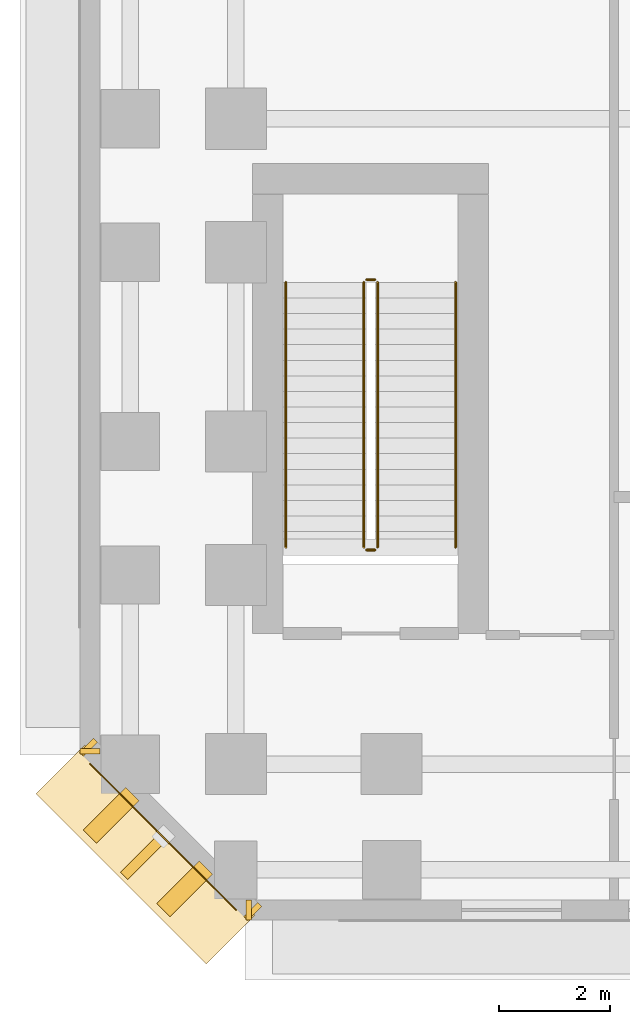
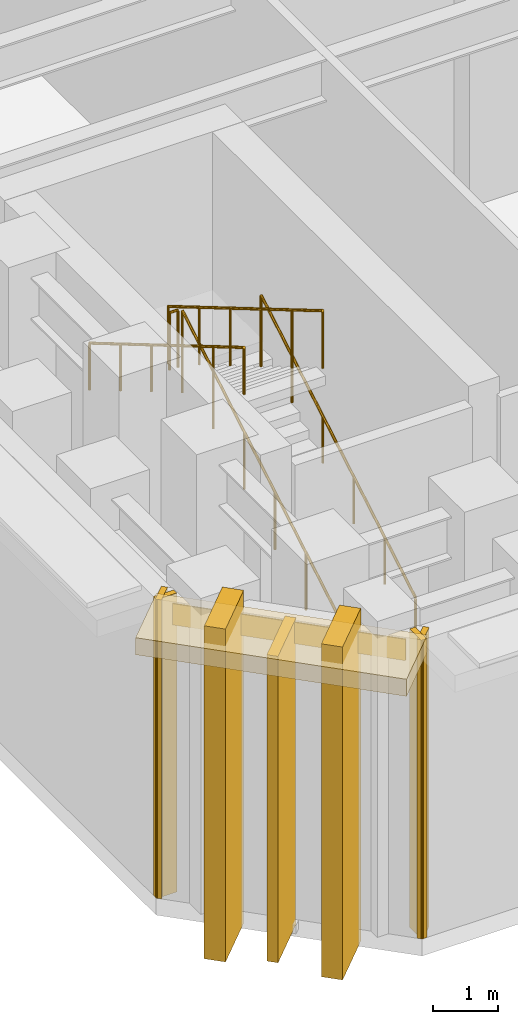
# One storey, part 11 of 18: 8 coverings, 6 railings, 1 shading device.
"""IFC4 building model written with IfcOpenShell, lengths in metres."""

from ifc_helpers import new_model, si_unit, direction, frame, origin, origin_2d, place, context, subcontext, project, spatial, rectangle, circle, extrude, material, layer, layer_set, material_profile, profile_set, type_object, element, save


model = new_model("IFC4")

# Units and contexts
model_context = context("Model", 3, precision=1e-05, world=origin(), true_north=direction((0.0, 1.0)))
body_context = subcontext(model_context, "Body", "Model", "MODEL_VIEW")
ifc_project = project(units=[si_unit("LENGTHUNIT", "METRE"), si_unit("AREAUNIT", "SQUARE_METRE"), si_unit("VOLUMEUNIT", "CUBIC_METRE"), si_unit("PLANEANGLEUNIT", "RADIAN"), si_unit("MASSUNIT", "GRAM", prefix="KILO")], contexts=[model_context])

# Site, building, storey
site_placement = place(None, origin())
site = spatial("IfcSite", under=ifc_project, at=site_placement, CompositionType="ELEMENT")
building_placement = place(site_placement, origin())
building = spatial("IfcBuilding", under=site, at=building_placement, Name="Kefirva Bronze Tower", CompositionType="ELEMENT")
storey_placement = place(building_placement, origin())
storey = spatial("IfcBuildingStorey", under=building, at=storey_placement, Name="L00", CompositionType="ELEMENT", Elevation=0.0)

# Coverings
ifc_material_1 = material(Name="Bronze anodised aluminium", Category="aluminium")
ifc_layer_1 = layer(ifc_material_1, 0.02001953125, Name="Bronze anodised aluminium")
ifc_layer_set_1 = layer_set([ifc_layer_1], Name="Bronze anodised aluminium")
covering_type_1 = type_object("IfcCoveringType", Name="Anodised Bronze Spandrel Cladding 20mm", PredefinedType="CLADDING", material=ifc_layer_set_1)
for number, where, z_axis, x_axis, name in (
    (1, (1.034912109375, -1.820068359375, 0.0), (0.0, 0.0, 1.0), (1.0, 0.0, 0.0), "L00 Facade Joint Closure Panel 1S"),
    (2, (-1.820068359375, 1.034912109375, 0.0), (0.0, 0.0, 1.0), (0.0, -1.0, 0.0), "L00 Facade Joint Closure Panel 11E"),
):
    element("IfcCovering", number, at=place(storey_placement, frame(where, z_axis=z_axis, x_axis=x_axis)), inside=storey, type_object=covering_type_1, Name=name, PredefinedType="CLADDING", context=body_context, shape_type="SweptSolid", body=[
        extrude(rectangle(XDim=0.10009765625, YDim=0.360107421875, at=origin_2d()), origin(), (0.0, 0.0, 1.0), 5.6201171875),
    ])
covering_1_placement = place(storey_placement, frame((-0.507080078125, -0.507080078125, 5.199951171875), z_axis=(0.0, 0.0, 1.0), x_axis=(0.707106781187, -0.707106781187, 0.0)))
element("IfcCovering", 3, at=covering_1_placement, inside=storey, type_object=covering_type_1, Name="L00 Bronze Spandrel Cladding 12", PredefinedType="CLADDING", context=body_context, shape_type="SweptSolid", body=[
    extrude(rectangle(XDim=3.719482421875, YDim=0.02001953125, at=origin_2d()), origin(), (0.0, 0.0, 1.0), 0.39990234375),
])
for number, where, z_axis, x_axis, name in (
    (4, (-1.847900390625, 1.1025390625, 0.0), (0.0, 0.0, 1.0), (0.707106781187, -0.707106781187, 0.0), "L00 Facade Joint Closure Panel 12S"),
    (5, (1.1025390625, -1.847900390625, 0.0), (0.0, 0.0, 1.0), (0.707106781187, -0.707106781187, 0.0), "L00 Facade Joint Closure Panel 12E"),
):
    element("IfcCovering", number, at=place(storey_placement, frame(where, z_axis=z_axis, x_axis=x_axis)), inside=storey, type_object=covering_type_1, Name=name, PredefinedType="CLADDING", context=body_context, shape_type="SweptSolid", body=[
        extrude(rectangle(XDim=0.10009765625, YDim=0.360107421875, at=origin_2d()), origin(), (0.0, 0.0, 1.0), 5.6201171875),
    ])

# Shading device
ifc_material_profile = material_profile(ifc_material_1, rectangle(XDim=0.179931640625, YDim=1.080078125, at=origin_2d()), Name="BRONZE BUTTRESS FIN 180x1080")
ifc_profile_set = profile_set([ifc_material_profile], Name="Bronze anodised aluminium")
shading_device_type = type_object("IfcShadingDeviceType", Name="Chamfered Corner Buttress Bronze Fin 1080mm", PredefinedType="USERDEFINED", material=ifc_profile_set)
shading_device_placement = place(storey_placement, frame((-0.8251953125, -0.8251953125, -0.139892578125), z_axis=(0.0, 0.0, 1.0), x_axis=(0.707106781187, -0.707106781187, 0.0)))
element("IfcShadingDevice", 6, at=shading_device_placement, inside=storey, type_object=shading_device_type, Name="L00 Chamfered Corner Buttress Fin 12", ObjectType="VERTICAL FIN", PredefinedType="USERDEFINED", context=body_context, shape_type="SweptSolid", body=[
    extrude(rectangle(XDim=0.179931640625, YDim=1.080078125, at=origin_2d()), origin(), (0.0, 0.0, 1.0), 5.760009765625),
])

# Railings
ifc_material_2 = material(Name="Stainless steel 316", Category="steel")
railing_type_1 = type_object("IfcRailingType", Name="Interior Stair Guardrail 1100mm", PredefinedType="GUARDRAIL", material=ifc_material_2)
railing_1_placement = place(storey_placement, frame((3.35009765625, 4.699951171875, 0.1650390625)))
element("IfcRailing", 7, at=railing_1_placement, inside=storey, type_object=railing_type_1, Name="L00 ST-3 stair guard 1", PredefinedType="GUARDRAIL", context=body_context, shape_type="SweptSolid", body=[
    extrude(circle(Radius=0.02392578125, at=origin_2d()), frame((0.0, 0.0, 1.076171875), z_axis=(0.0, 0.861544328885, 0.507682350852), x_axis=(-1.0, 0.0, 0.0)), (0.0, 0.0, 1.0), 5.52490234375),
    extrude(circle(Radius=0.02099609375, at=origin_2d()), origin(), (0.0, 0.0, 1.0), 1.052001953125),
    extrude(circle(Radius=0.02099609375, at=origin_2d()), frame((0.0, 0.951904296875, 0.56103515625)), (0.0, 0.0, 1.0), 1.052001953125),
    extrude(circle(Radius=0.02099609375, at=origin_2d()), frame((0.0, 1.904052734375, 1.1220703125)), (0.0, 0.0, 1.0), 1.052001953125),
    extrude(circle(Radius=0.02099609375, at=origin_2d()), frame((0.0, 2.85595703125, 1.682861328125)), (0.0, 0.0, 1.0), 1.052001953125),
    extrude(circle(Radius=0.02099609375, at=origin_2d()), frame((0.0, 3.80810546875, 2.243896484375)), (0.0, 0.0, 1.0), 1.052001953125),
    extrude(circle(Radius=0.02099609375, at=origin_2d()), frame((0.0, 4.760009765625, 2.804931640625)), (0.0, 0.0, 1.0), 1.052001953125),
])
railing_2_placement = place(storey_placement, frame((3.300048828125, 9.510009765625, 2.969970703125)))
element("IfcRailing", 8, at=railing_2_placement, inside=storey, type_object=railing_type_1, Name="L00 ST-3 stair guard 2", PredefinedType="GUARDRAIL", context=body_context, shape_type="SweptSolid", body=[
    extrude(circle(Radius=0.02392578125, at=origin_2d()), frame((0.0, 0.0, 1.076171875), z_axis=(-1.0, 0.0, 0.0), x_axis=(0.0, -1.0, 0.0)), (0.0, 0.0, 1.0), 0.150146484375),
    extrude(circle(Radius=0.02099609375, at=origin_2d()), origin(), (0.0, 0.0, 1.0), 1.052001953125),
    extrude(circle(Radius=0.02099609375, at=origin_2d()), frame((-0.150146484375, 0.0, 0.0)), (0.0, 0.0, 1.0), 1.052001953125),
])
railing_3_placement = place(storey_placement, frame((3.10009765625, 9.4599609375, 3.135009765625)))
element("IfcRailing", 9, at=railing_3_placement, inside=storey, type_object=railing_type_1, Name="L00 ST-3 stair guard 3", PredefinedType="GUARDRAIL", context=body_context, shape_type="SweptSolid", body=[
    extrude(circle(Radius=0.02392578125, at=origin_2d()), frame((0.0, 0.0, 1.076171875), z_axis=(0.0, -0.861544328885, 0.507682350852), x_axis=(1.0, 0.0, 0.0)), (0.0, 0.0, 1.0), 5.52490234375),
    extrude(circle(Radius=0.02099609375, at=origin_2d()), origin(), (0.0, 0.0, 1.0), 1.052001953125),
    extrude(circle(Radius=0.02099609375, at=origin_2d()), frame((0.0, -0.951904296875, 0.56103515625)), (0.0, 0.0, 1.0), 1.052001953125),
    extrude(circle(Radius=0.02099609375, at=origin_2d()), frame((0.0, -1.904052734375, 1.1220703125)), (0.0, 0.0, 1.0), 1.052001953125),
    extrude(circle(Radius=0.02099609375, at=origin_2d()), frame((0.0, -2.85595703125, 1.682861328125)), (0.0, 0.0, 1.0), 1.052001953125),
    extrude(circle(Radius=0.02099609375, at=origin_2d()), frame((0.0, -3.80810546875, 2.243896484375)), (0.0, 0.0, 1.0), 1.052001953125),
    extrude(circle(Radius=0.02099609375, at=origin_2d()), frame((0.0, -4.760009765625, 2.804931640625)), (0.0, 0.0, 1.0), 1.052001953125),
])
railing_4_placement = place(storey_placement, frame((3.300048828125, 4.64990234375, 0.0)))
element("IfcRailing", 10, at=railing_4_placement, inside=storey, type_object=railing_type_1, Name="L00 ST-3 stair guard 4", PredefinedType="GUARDRAIL", context=body_context, shape_type="SweptSolid", body=[
    extrude(circle(Radius=0.02392578125, at=origin_2d()), frame((0.0, 0.0, 1.076171875), z_axis=(-1.0, 0.0, 0.0), x_axis=(0.0, -1.0, 0.0)), (0.0, 0.0, 1.0), 0.150146484375),
    extrude(circle(Radius=0.02099609375, at=origin_2d()), origin(), (0.0, 0.0, 1.0), 1.052001953125),
    extrude(circle(Radius=0.02099609375, at=origin_2d()), frame((-0.150146484375, 0.0, 0.0)), (0.0, 0.0, 1.0), 1.052001953125),
])
railing_type_2 = type_object("IfcRailingType", Name="Stair Pitch Handrail 900mm", PredefinedType="HANDRAIL", material=ifc_material_2)
railing_5_placement = place(storey_placement, frame((4.75, 4.699951171875, 0.1650390625)))
element("IfcRailing", 11, at=railing_5_placement, inside=storey, type_object=railing_type_2, Name="L00 ST-3 stair handrail 1", PredefinedType="HANDRAIL", context=body_context, shape_type="SweptSolid", body=[
    extrude(circle(Radius=0.02392578125, at=origin_2d()), frame((0.0, 0.0, 0.8759765625), z_axis=(0.0, 0.861544328885, 0.507682350852), x_axis=(-1.0, 0.0, 0.0)), (0.0, 0.0, 1.0), 5.52490234375),
    extrude(circle(Radius=0.02099609375, at=origin_2d()), origin(), (0.0, 0.0, 1.0), 0.851806640625),
    extrude(circle(Radius=0.02099609375, at=origin_2d()), frame((0.0, 0.951904296875, 0.56103515625)), (0.0, 0.0, 1.0), 0.851806640625),
    extrude(circle(Radius=0.02099609375, at=origin_2d()), frame((0.0, 1.904052734375, 1.1220703125)), (0.0, 0.0, 1.0), 0.851806640625),
    extrude(circle(Radius=0.02099609375, at=origin_2d()), frame((0.0, 2.85595703125, 1.682861328125)), (0.0, 0.0, 1.0), 0.851806640625),
    extrude(circle(Radius=0.02099609375, at=origin_2d()), frame((0.0, 3.80810546875, 2.243896484375)), (0.0, 0.0, 1.0), 0.851806640625),
    extrude(circle(Radius=0.02099609375, at=origin_2d()), frame((0.0, 4.760009765625, 2.804931640625)), (0.0, 0.0, 1.0), 0.851806640625),
])
railing_6_placement = place(storey_placement, frame((1.699951171875, 9.4599609375, 3.135009765625)))
element("IfcRailing", 12, at=railing_6_placement, inside=storey, type_object=railing_type_2, Name="L00 ST-3 stair handrail 2", PredefinedType="HANDRAIL", context=body_context, shape_type="SweptSolid", body=[
    extrude(circle(Radius=0.02392578125, at=origin_2d()), frame((0.0, 0.0, 0.8759765625), z_axis=(0.0, -0.861544328885, 0.507682350852), x_axis=(1.0, 0.0, 0.0)), (0.0, 0.0, 1.0), 5.52490234375),
    extrude(circle(Radius=0.02099609375, at=origin_2d()), origin(), (0.0, 0.0, 1.0), 0.851806640625),
    extrude(circle(Radius=0.02099609375, at=origin_2d()), frame((0.0, -0.951904296875, 0.56103515625)), (0.0, 0.0, 1.0), 0.851806640625),
    extrude(circle(Radius=0.02099609375, at=origin_2d()), frame((0.0, -1.904052734375, 1.1220703125)), (0.0, 0.0, 1.0), 0.851806640625),
    extrude(circle(Radius=0.02099609375, at=origin_2d()), frame((0.0, -2.85595703125, 1.682861328125)), (0.0, 0.0, 1.0), 0.851806640625),
    extrude(circle(Radius=0.02099609375, at=origin_2d()), frame((0.0, -3.80810546875, 2.243896484375)), (0.0, 0.0, 1.0), 0.851806640625),
    extrude(circle(Radius=0.02099609375, at=origin_2d()), frame((0.0, -4.760009765625, 2.804931640625)), (0.0, 0.0, 1.0), 0.851806640625),
])

# Coverings
ifc_layer_2 = layer(ifc_material_1, 0.179931640625, Name="Bronze anodised aluminium")
ifc_layer_set_2 = layer_set([ifc_layer_2], Name="Bronze anodised aluminium")
covering_type_2 = type_object("IfcCoveringType", Name="Streamline Bronze Sunshade Eyebrow Cladding 180mm", PredefinedType="CLADDING", material=ifc_layer_set_2)
covering_2_placement = place(storey_placement, frame((-0.8251953125, -0.8251953125, 5.2998046875), z_axis=(0.0, 0.0, 1.0), x_axis=(0.707106781187, -0.707106781187, 0.0)))
element("IfcCovering", 13, at=covering_2_placement, inside=storey, type_object=covering_type_2, Name="L00 Streamline Bronze Sunshade Eyebrow 11", PredefinedType="CLADDING", context=body_context, shape_type="SweptSolid", body=[
    extrude(rectangle(XDim=4.322509765625, YDim=1.239990234375, at=origin_2d()), origin(), (0.0, 0.0, 1.0), 0.320068359375),
])
ifc_layer_3 = layer(ifc_material_1, 0.260009765625, Name="Bronze anodised aluminium")
ifc_layer_set_3 = layer_set([ifc_layer_3], Name="Bronze anodised aluminium")
covering_type_3 = type_object("IfcCoveringType", Name="Unbroken Bronze Buttress Fin Cladding 260mm", PredefinedType="CLADDING", material=ifc_layer_set_3)
for number, where, z_axis, x_axis, name in (
    (14, (-1.44287109375, -0.122802734375, -0.31982421875), (0.0, 0.0, 1.0), (0.707106781187, -0.707106781187, 0.0), "L00 Chamfered Corner Buttress Fin Cladding 11"),
    (15, (-0.122802734375, -1.44287109375, -0.31982421875), (0.0, 0.0, 1.0), (0.707106781187, -0.707106781187, 0.0), "L00 Chamfered Corner Buttress Fin Cladding 12"),
):
    element("IfcCovering", number, at=place(storey_placement, frame(where, z_axis=z_axis, x_axis=x_axis)), inside=storey, type_object=covering_type_3, Name=name, PredefinedType="CLADDING", context=body_context, shape_type="SweptSolid", body=[
        extrude(rectangle(XDim=0.340087890625, YDim=1.080078125, at=origin_2d()), origin(), (0.0, 0.0, 1.0), 6.260009765625),
    ])

save(model, "model.ifc")
